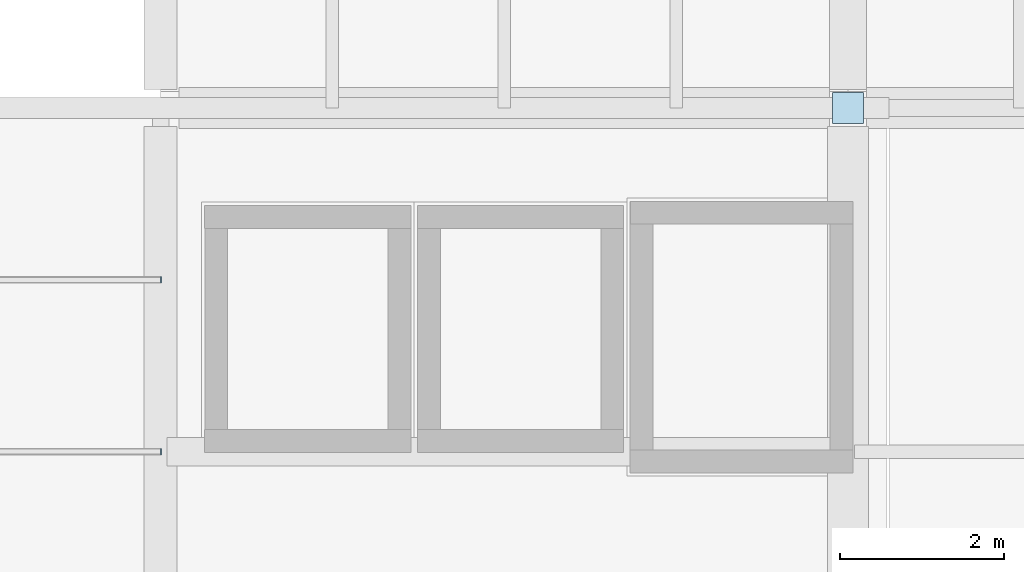
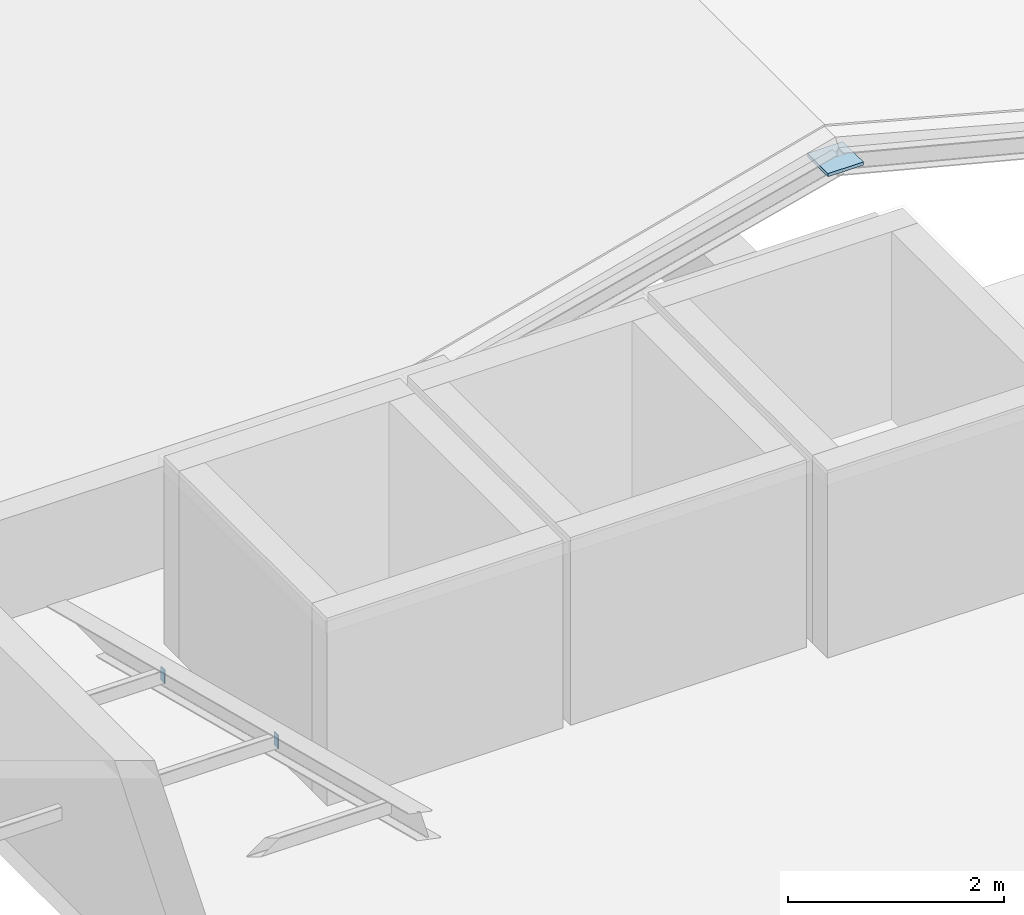
# One storey, part 10 of 17: 3 plates.
"""IFC4 building model written with IfcOpenShell, lengths in metres."""

from ifc_helpers import new_model, si_unit, derived_unit, direction, frame, origin, origin_2d, place, context, subcontext, project, spatial, rectangle, extrude, material, layer, layer_set, type_object, element, save


model = new_model("IFC4")

# Units and contexts
model_context = context("Model", 3, precision=1e-05, world=origin(), true_north=direction((0.0, 1.0)))
body_context = subcontext(model_context, "Body", "Model", "MODEL_VIEW")
ifc_project = project(units=[si_unit("LENGTHUNIT", "METRE"), si_unit("AREAUNIT", "SQUARE_METRE"), si_unit("VOLUMEUNIT", "CUBIC_METRE"), si_unit("PLANEANGLEUNIT", "RADIAN"), si_unit("MASSUNIT", "GRAM", prefix="KILO"), derived_unit("THERMALTRANSMITTANCEUNIT", [(si_unit("POWERUNIT", "WATT"), 1), (si_unit("LENGTHUNIT", "METRE"), -2), (si_unit("THERMODYNAMICTEMPERATUREUNIT", "KELVIN"), -1)])], contexts=[model_context])

# Site, building, storey
site_placement = place(None, origin())
site = spatial("IfcSite", under=ifc_project, at=site_placement, CompositionType="ELEMENT")
building_placement = place(site_placement, origin())
building = spatial("IfcBuilding", under=site, at=building_placement, Name="Barrovel Congress Hotel", CompositionType="ELEMENT")
storey_placement = place(building_placement, frame((0.0, 0.0, 47.10009765625)))
storey = spatial("IfcBuildingStorey", under=building, at=storey_placement, Name="RF", CompositionType="ELEMENT", Elevation=47.10009765625)

# Plates
ifc_material = material(Name="Steel ASTM A992 Grade 50", Category="steel")
ifc_layer_1 = layer(ifc_material, 0.010009765625)
ifc_layer_set_1 = layer_set([ifc_layer_1], Name="Steel ASTM A992 Grade 50")
plate_type_1 = type_object("IfcPlateType", Name="EC-10", PredefinedType="SHEET", material=ifc_layer_set_1)
for number, where, z_axis, x_axis, name in (
    (1, (33.60498046875, 16.800048828125, 0.84912109375), (0.0, 0.0, 1.0), (1.0, 0.0, 0.0), "End Cap Plate RF-PUR:16.8:25.2 end"),
    (2, (33.60498046875, 18.89990234375, 0.3115234375), (0.0, 0.0, 1.0), (1.0, 0.0, 0.0), "End Cap Plate RF-PUR:18.9:25.2 end"),
):
    element("IfcPlate", number, at=place(storey_placement, frame(where, z_axis=z_axis, x_axis=x_axis)), inside=storey, type_object=plate_type_1, Name=name, PredefinedType="SHEET", context=body_context, shape_type="SweptSolid", body=[
        extrude(rectangle(XDim=0.010009765625, YDim=0.076171875, at=origin_2d()), origin(), (0.0, 0.0, 1.0), 0.15234375),
    ])
ifc_layer_2 = layer(ifc_material, 0.035888671875)
ifc_layer_set_2 = layer_set([ifc_layer_2], Name="Steel ASTM A992 Grade 50")
plate_type_2 = type_object("IfcPlateType", Name="GP-36", PredefinedType="SHEET", material=ifc_layer_set_2)
plate_placement = place(storey_placement, frame((42.0, 21.0, 1.98291015625), z_axis=(0.0, 0.0, 1.0), x_axis=(1.0, 0.0, 0.0)))
element("IfcPlate", 3, at=plate_placement, inside=storey, type_object=plate_type_2, Name="RF-WRAF-GP:21.0", PredefinedType="SHEET", context=body_context, shape_type="SweptSolid", body=[
    extrude(rectangle(XDim=0.3798828125, YDim=0.3798828125, at=origin_2d()), origin(), (0.0, 0.0, 1.0), 0.035888671875),
])

save(model, "model.ifc")
